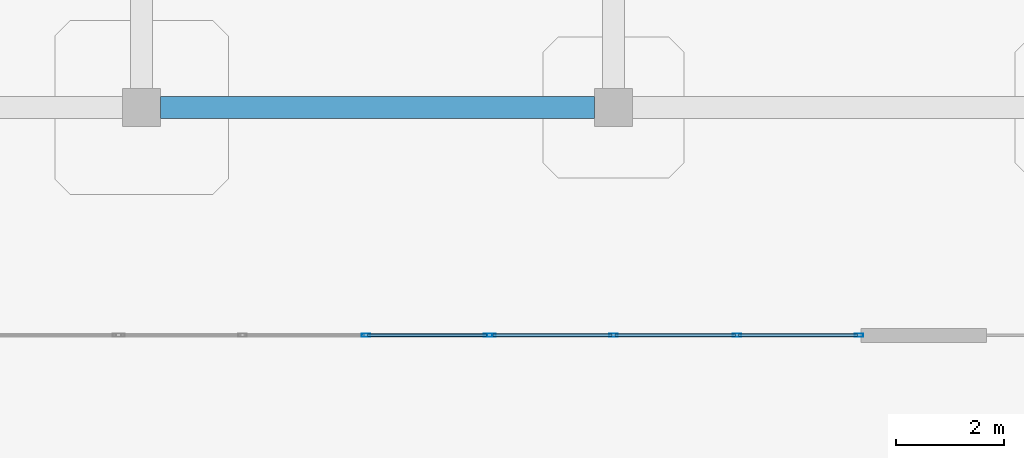
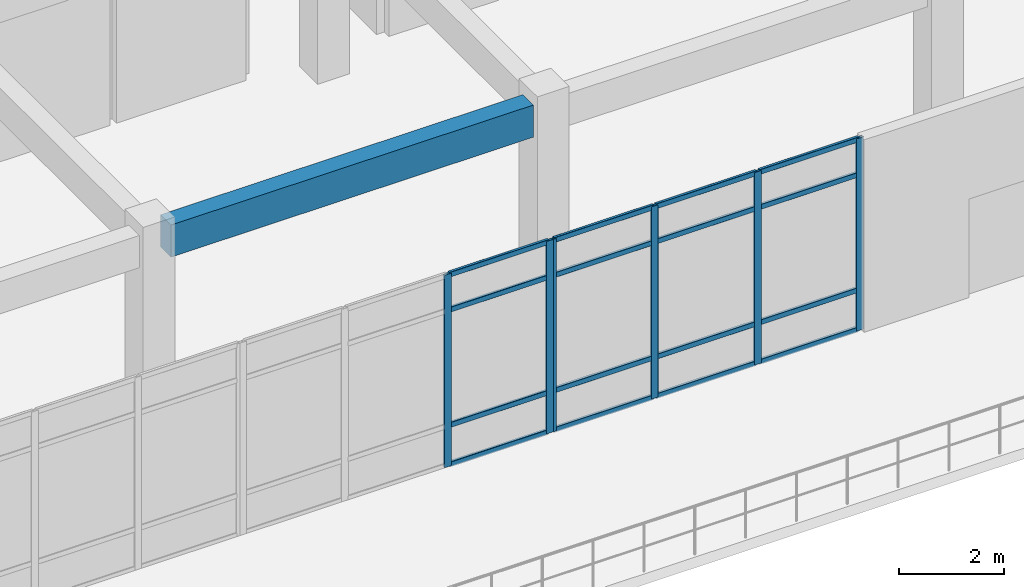
# One storey, part 8 of 76: 22 members, 1 beam, 2 elements without a shape of their own.
"""IFC4 building model written with IfcOpenShell, lengths in metres."""

from ifc_helpers import new_model, si_unit, derived_unit, direction, frame, origin, origin_2d, place, context, subcontext, project, spatial, rectangle, hollow_rectangle, extrude, material, layer, layer_set, material_profile, profile_set, type_object, element, aggregate, save


model = new_model("IFC4")

# Units and contexts
model_context = context("Model", 3, precision=1e-05, world=origin(), true_north=direction((0.0, 1.0)))
body_context = subcontext(model_context, "Body", "Model", "MODEL_VIEW")
ifc_project = project(units=[si_unit("LENGTHUNIT", "METRE"), si_unit("AREAUNIT", "SQUARE_METRE"), si_unit("VOLUMEUNIT", "CUBIC_METRE"), si_unit("PLANEANGLEUNIT", "RADIAN"), si_unit("MASSUNIT", "GRAM", prefix="KILO"), derived_unit("THERMALTRANSMITTANCEUNIT", [(si_unit("MASSUNIT", "GRAM", prefix="KILO"), 1), (si_unit("TIMEUNIT", "SECOND"), -3), (si_unit("THERMODYNAMICTEMPERATUREUNIT", "KELVIN"), -1)])], contexts=[model_context])

# Site, building, storey
site_placement = place(None, origin())
site = spatial("IfcSite", under=ifc_project, at=site_placement, CompositionType="ELEMENT")
building_placement = place(site_placement, origin())
building = spatial("IfcBuilding", under=site, at=building_placement, Name="Qinzheling Arcade Emporium", CompositionType="ELEMENT")
storey_placement = place(building_placement, frame((0.0, 0.0, 26.699951171875)))
storey = spatial("IfcBuildingStorey", under=building, at=storey_placement, Name="L06", CompositionType="ELEMENT", Elevation=26.699951171875)

# Curtain wall, members
ifc_material_1 = material(Name="Anodised aluminium and solar-control double glazing", Category="aluminium")
ifc_layer = layer(ifc_material_1, 0.159912109375, Name="Anodised aluminium and solar-control double glazing", Category="aluminium")
ifc_layer_set = layer_set([ifc_layer], Name="Anodised aluminium and solar-control double glazing")
curtain_wall_type = type_object("IfcCurtainWallType", Name="Arcade Portal Glazed Curtain Wall", PredefinedType="NOTDEFINED", material=ifc_layer_set)
curtain_wall_1_placement = place(storey_placement, origin())
curtain_wall_1 = element("IfcCurtainWall", 1, at=curtain_wall_1_placement, inside=storey, type_object=curtain_wall_type, Name="Curtain Wall CW-L06-346", PredefinedType="NOTDEFINED")
ifc_material_2 = material(Name="Anodised aluminium 6063-T6", Category="aluminium")
ifc_material_profile_1 = material_profile(ifc_material_2, hollow_rectangle(XDim=0.06005859375, YDim=0.159912109375, WallThickness=0.00390625, InnerFilletRadius=0.00390625, OuterFilletRadius=0.008056640625, at=origin_2d()), Name="RHS 160x60x4", Category="aluminium")
ifc_profile_set_1 = profile_set([ifc_material_profile_1], Name="Anodised aluminium 6063-T6")
member_type_1 = type_object("IfcMemberType", Name="Curtain Wall Mullion RHS160x60", PredefinedType="MULLION", material=ifc_profile_set_1)
member_1_placement = place(storey_placement, frame((56.72802734375, 12.60009765625, 0.0), z_axis=(0.0, 0.0, 1.0), x_axis=(0.0, -1.0, 0.0)))
member_1 = element("IfcMember", 2, at=member_1_placement, type_object=member_type_1, Name="CW05 mullion 1", PredefinedType="MULLION", context=body_context, shape_type="SweptSolid", body=[
    extrude(hollow_rectangle(XDim=0.06005859375, YDim=0.159912109375, WallThickness=0.00390625, InnerFilletRadius=0.00390625, OuterFilletRadius=0.008056640625, at=origin_2d()), origin(), (0.0, 0.0, 1.0), 4.489990234375),
])
member_2_placement = place(storey_placement, frame((54.479248046875, 12.60009765625, 0.0), z_axis=(0.0, 0.0, 1.0), x_axis=(0.0, -1.0, 0.0)))
member_2 = element("IfcMember", 3, at=member_2_placement, type_object=member_type_1, Name="CW05 mullion 2", PredefinedType="MULLION", context=body_context, shape_type="SweptSolid", body=[
    extrude(hollow_rectangle(XDim=0.06005859375, YDim=0.159912109375, WallThickness=0.00390625, InnerFilletRadius=0.00390625, OuterFilletRadius=0.008056640625, at=origin_2d()), origin(), (0.0, 0.0, 1.0), 4.489990234375),
])
member_3_placement = place(storey_placement, frame((52.20068359375, 12.60009765625, 0.0), z_axis=(0.0, 0.0, 1.0), x_axis=(0.0, -1.0, 0.0)))
member_3 = element("IfcMember", 4, at=member_3_placement, type_object=member_type_1, Name="CW05 mullion 3", PredefinedType="MULLION", context=body_context, shape_type="SweptSolid", body=[
    extrude(hollow_rectangle(XDim=0.06005859375, YDim=0.159912109375, WallThickness=0.00390625, InnerFilletRadius=0.00390625, OuterFilletRadius=0.008056640625, at=origin_2d()), origin(), (0.0, 0.0, 1.0), 4.489990234375),
])
member_4_placement = place(storey_placement, frame((49.951904296875, 12.60009765625, 0.0), z_axis=(0.0, 0.0, 1.0), x_axis=(0.0, -1.0, 0.0)))
member_4 = element("IfcMember", 5, at=member_4_placement, type_object=member_type_1, Name="CW05 mullion 4", PredefinedType="MULLION", context=body_context, shape_type="SweptSolid", body=[
    extrude(hollow_rectangle(XDim=0.06005859375, YDim=0.159912109375, WallThickness=0.00390625, InnerFilletRadius=0.00390625, OuterFilletRadius=0.008056640625, at=origin_2d()), origin(), (0.0, 0.0, 1.0), 4.489990234375),
])

curtain_wall_2_placement = place(storey_placement, origin())
curtain_wall_2 = element("IfcCurtainWall", 6, at=curtain_wall_2_placement, inside=storey, type_object=curtain_wall_type, Name="Curtain Wall CW-L06-347", PredefinedType="NOTDEFINED")
member_5_placement = place(storey_placement, frame((49.887939453125, 12.60009765625, 0.0), z_axis=(0.0, 0.0, 1.0), x_axis=(0.0, -1.0, 0.0)))
member_5 = element("IfcMember", 7, at=member_5_placement, type_object=member_type_1, Name="CW05 mullion 1", PredefinedType="MULLION", context=body_context, shape_type="SweptSolid", body=[
    extrude(hollow_rectangle(XDim=0.06005859375, YDim=0.159912109375, WallThickness=0.00390625, InnerFilletRadius=0.00390625, OuterFilletRadius=0.008056640625, at=origin_2d()), origin(), (0.0, 0.0, 1.0), 4.489990234375),
])
member_6_placement = place(storey_placement, frame((47.639404296875, 12.60009765625, 0.0), z_axis=(0.0, 0.0, 1.0), x_axis=(0.0, -1.0, 0.0)))
member_6 = element("IfcMember", 8, at=member_6_placement, type_object=member_type_1, Name="CW05 mullion 2", PredefinedType="MULLION", context=body_context, shape_type="SweptSolid", body=[
    extrude(hollow_rectangle(XDim=0.06005859375, YDim=0.159912109375, WallThickness=0.00390625, InnerFilletRadius=0.00390625, OuterFilletRadius=0.008056640625, at=origin_2d()), origin(), (0.0, 0.0, 1.0), 4.489990234375),
])

# Member
ifc_material_profile_2 = material_profile(ifc_material_2, hollow_rectangle(XDim=0.06005859375, YDim=0.1201171875, WallThickness=0.00390625, InnerFilletRadius=0.00390625, OuterFilletRadius=0.008056640625, at=origin_2d()), Name="RHS 120x60x4", Category="aluminium")
ifc_profile_set_2 = profile_set([ifc_material_profile_2], Name="Anodised aluminium 6063-T6")
member_type_2 = type_object("IfcMemberType", Name="Curtain Wall Transom RHS120x60", PredefinedType="USERDEFINED", material=ifc_profile_set_2)
member_7_placement = place(storey_placement, frame((56.697998046875, 12.60009765625, 0.030029296875), z_axis=(-1.0, 0.0, 0.0), x_axis=(0.0, -1.0, 0.0)))
member_7 = element("IfcMember", 9, at=member_7_placement, type_object=member_type_2, Name="CW05 transom 1.1", ObjectType="TRANSOM", PredefinedType="USERDEFINED", context=body_context, shape_type="SweptSolid", body=[
    extrude(hollow_rectangle(XDim=0.06005859375, YDim=0.1201171875, WallThickness=0.00390625, InnerFilletRadius=0.00390625, OuterFilletRadius=0.008056640625, at=origin_2d()), origin(), (0.0, 0.0, 1.0), 2.188720703125),
])

member_8_placement = place(storey_placement, frame((56.697998046875, 12.60009765625, 0.949951171875), z_axis=(-1.0, 0.0, 0.0), x_axis=(0.0, -1.0, 0.0)))
member_8 = element("IfcMember", 10, at=member_8_placement, type_object=member_type_2, Name="CW05 transom 1.2", ObjectType="TRANSOM", PredefinedType="USERDEFINED", context=body_context, shape_type="SweptSolid", body=[
    extrude(hollow_rectangle(XDim=0.06005859375, YDim=0.1201171875, WallThickness=0.00390625, InnerFilletRadius=0.00390625, OuterFilletRadius=0.008056640625, at=origin_2d()), origin(), (0.0, 0.0, 1.0), 2.188720703125),
])

member_9_placement = place(storey_placement, frame((56.697998046875, 12.60009765625, 3.64013671875), z_axis=(-1.0, 0.0, 0.0), x_axis=(0.0, -1.0, 0.0)))
member_9 = element("IfcMember", 11, at=member_9_placement, type_object=member_type_2, Name="CW05 transom 1.3", ObjectType="TRANSOM", PredefinedType="USERDEFINED", context=body_context, shape_type="SweptSolid", body=[
    extrude(hollow_rectangle(XDim=0.06005859375, YDim=0.1201171875, WallThickness=0.00390625, InnerFilletRadius=0.00390625, OuterFilletRadius=0.008056640625, at=origin_2d()), origin(), (0.0, 0.0, 1.0), 2.188720703125),
])

member_10_placement = place(storey_placement, frame((56.697998046875, 12.60009765625, 4.4599609375), z_axis=(-1.0, 0.0, 0.0), x_axis=(0.0, -1.0, 0.0)))
member_10 = element("IfcMember", 12, at=member_10_placement, type_object=member_type_2, Name="CW05 transom 1.4", ObjectType="TRANSOM", PredefinedType="USERDEFINED", context=body_context, shape_type="SweptSolid", body=[
    extrude(hollow_rectangle(XDim=0.06005859375, YDim=0.1201171875, WallThickness=0.00390625, InnerFilletRadius=0.00390625, OuterFilletRadius=0.008056640625, at=origin_2d()), origin(), (0.0, 0.0, 1.0), 2.188720703125),
])

member_11_placement = place(storey_placement, frame((54.44921875, 12.60009765625, 0.030029296875), z_axis=(-1.0, 0.0, 0.0), x_axis=(0.0, -1.0, 0.0)))
member_11 = element("IfcMember", 13, at=member_11_placement, type_object=member_type_2, Name="CW05 transom 2.1", ObjectType="TRANSOM", PredefinedType="USERDEFINED", context=body_context, shape_type="SweptSolid", body=[
    extrude(hollow_rectangle(XDim=0.06005859375, YDim=0.1201171875, WallThickness=0.00390625, InnerFilletRadius=0.00390625, OuterFilletRadius=0.008056640625, at=origin_2d()), origin(), (0.0, 0.0, 1.0), 2.218505859375),
])

member_12_placement = place(storey_placement, frame((54.44921875, 12.60009765625, 0.949951171875), z_axis=(-1.0, 0.0, 0.0), x_axis=(0.0, -1.0, 0.0)))
member_12 = element("IfcMember", 14, at=member_12_placement, type_object=member_type_2, Name="CW05 transom 2.2", ObjectType="TRANSOM", PredefinedType="USERDEFINED", context=body_context, shape_type="SweptSolid", body=[
    extrude(hollow_rectangle(XDim=0.06005859375, YDim=0.1201171875, WallThickness=0.00390625, InnerFilletRadius=0.00390625, OuterFilletRadius=0.008056640625, at=origin_2d()), origin(), (0.0, 0.0, 1.0), 2.218505859375),
])

member_13_placement = place(storey_placement, frame((54.44921875, 12.60009765625, 3.64013671875), z_axis=(-1.0, 0.0, 0.0), x_axis=(0.0, -1.0, 0.0)))
member_13 = element("IfcMember", 15, at=member_13_placement, type_object=member_type_2, Name="CW05 transom 2.3", ObjectType="TRANSOM", PredefinedType="USERDEFINED", context=body_context, shape_type="SweptSolid", body=[
    extrude(hollow_rectangle(XDim=0.06005859375, YDim=0.1201171875, WallThickness=0.00390625, InnerFilletRadius=0.00390625, OuterFilletRadius=0.008056640625, at=origin_2d()), origin(), (0.0, 0.0, 1.0), 2.218505859375),
])

member_14_placement = place(storey_placement, frame((54.44921875, 12.60009765625, 4.4599609375), z_axis=(-1.0, 0.0, 0.0), x_axis=(0.0, -1.0, 0.0)))
member_14 = element("IfcMember", 16, at=member_14_placement, type_object=member_type_2, Name="CW05 transom 2.4", ObjectType="TRANSOM", PredefinedType="USERDEFINED", context=body_context, shape_type="SweptSolid", body=[
    extrude(hollow_rectangle(XDim=0.06005859375, YDim=0.1201171875, WallThickness=0.00390625, InnerFilletRadius=0.00390625, OuterFilletRadius=0.008056640625, at=origin_2d()), origin(), (0.0, 0.0, 1.0), 2.218505859375),
])

member_15_placement = place(storey_placement, frame((52.170654296875, 12.60009765625, 0.030029296875), z_axis=(-1.0, 0.0, 0.0), x_axis=(0.0, -1.0, 0.0)))
member_15 = element("IfcMember", 17, at=member_15_placement, type_object=member_type_2, Name="CW05 transom 3.1", ObjectType="TRANSOM", PredefinedType="USERDEFINED", context=body_context, shape_type="SweptSolid", body=[
    extrude(hollow_rectangle(XDim=0.06005859375, YDim=0.1201171875, WallThickness=0.00390625, InnerFilletRadius=0.00390625, OuterFilletRadius=0.008056640625, at=origin_2d()), origin(), (0.0, 0.0, 1.0), 2.188720703125),
])

member_16_placement = place(storey_placement, frame((52.170654296875, 12.60009765625, 0.949951171875), z_axis=(-1.0, 0.0, 0.0), x_axis=(0.0, -1.0, 0.0)))
member_16 = element("IfcMember", 18, at=member_16_placement, type_object=member_type_2, Name="CW05 transom 3.2", ObjectType="TRANSOM", PredefinedType="USERDEFINED", context=body_context, shape_type="SweptSolid", body=[
    extrude(hollow_rectangle(XDim=0.06005859375, YDim=0.1201171875, WallThickness=0.00390625, InnerFilletRadius=0.00390625, OuterFilletRadius=0.008056640625, at=origin_2d()), origin(), (0.0, 0.0, 1.0), 2.188720703125),
])

member_17_placement = place(storey_placement, frame((52.170654296875, 12.60009765625, 3.64013671875), z_axis=(-1.0, 0.0, 0.0), x_axis=(0.0, -1.0, 0.0)))
member_17 = element("IfcMember", 19, at=member_17_placement, type_object=member_type_2, Name="CW05 transom 3.3", ObjectType="TRANSOM", PredefinedType="USERDEFINED", context=body_context, shape_type="SweptSolid", body=[
    extrude(hollow_rectangle(XDim=0.06005859375, YDim=0.1201171875, WallThickness=0.00390625, InnerFilletRadius=0.00390625, OuterFilletRadius=0.008056640625, at=origin_2d()), origin(), (0.0, 0.0, 1.0), 2.188720703125),
])

member_18_placement = place(storey_placement, frame((52.170654296875, 12.60009765625, 4.4599609375), z_axis=(-1.0, 0.0, 0.0), x_axis=(0.0, -1.0, 0.0)))
member_18 = element("IfcMember", 20, at=member_18_placement, type_object=member_type_2, Name="CW05 transom 3.4", ObjectType="TRANSOM", PredefinedType="USERDEFINED", context=body_context, shape_type="SweptSolid", body=[
    extrude(hollow_rectangle(XDim=0.06005859375, YDim=0.1201171875, WallThickness=0.00390625, InnerFilletRadius=0.00390625, OuterFilletRadius=0.008056640625, at=origin_2d()), origin(), (0.0, 0.0, 1.0), 2.188720703125),
])

aggregate(curtain_wall_1, [member_1, member_2, member_3, member_4, member_7, member_8, member_9, member_10, member_11, member_12, member_13, member_14, member_15, member_16, member_17, member_18])

member_19_placement = place(storey_placement, frame((49.85791015625, 12.60009765625, 0.030029296875), z_axis=(-1.0, 0.0, 0.0), x_axis=(0.0, -1.0, 0.0)))
member_19 = element("IfcMember", 21, at=member_19_placement, type_object=member_type_2, Name="CW05 transom 1.1", ObjectType="TRANSOM", PredefinedType="USERDEFINED", context=body_context, shape_type="SweptSolid", body=[
    extrude(hollow_rectangle(XDim=0.06005859375, YDim=0.1201171875, WallThickness=0.00390625, InnerFilletRadius=0.00390625, OuterFilletRadius=0.008056640625, at=origin_2d()), origin(), (0.0, 0.0, 1.0), 2.1884765625),
])

member_20_placement = place(storey_placement, frame((49.85791015625, 12.60009765625, 0.949951171875), z_axis=(-1.0, 0.0, 0.0), x_axis=(0.0, -1.0, 0.0)))
member_20 = element("IfcMember", 22, at=member_20_placement, type_object=member_type_2, Name="CW05 transom 1.2", ObjectType="TRANSOM", PredefinedType="USERDEFINED", context=body_context, shape_type="SweptSolid", body=[
    extrude(hollow_rectangle(XDim=0.06005859375, YDim=0.1201171875, WallThickness=0.00390625, InnerFilletRadius=0.00390625, OuterFilletRadius=0.008056640625, at=origin_2d()), origin(), (0.0, 0.0, 1.0), 2.1884765625),
])

member_21_placement = place(storey_placement, frame((49.85791015625, 12.60009765625, 3.64013671875), z_axis=(-1.0, 0.0, 0.0), x_axis=(0.0, -1.0, 0.0)))
member_21 = element("IfcMember", 23, at=member_21_placement, type_object=member_type_2, Name="CW05 transom 1.3", ObjectType="TRANSOM", PredefinedType="USERDEFINED", context=body_context, shape_type="SweptSolid", body=[
    extrude(hollow_rectangle(XDim=0.06005859375, YDim=0.1201171875, WallThickness=0.00390625, InnerFilletRadius=0.00390625, OuterFilletRadius=0.008056640625, at=origin_2d()), origin(), (0.0, 0.0, 1.0), 2.1884765625),
])

member_22_placement = place(storey_placement, frame((49.85791015625, 12.60009765625, 4.4599609375), z_axis=(-1.0, 0.0, 0.0), x_axis=(0.0, -1.0, 0.0)))
member_22 = element("IfcMember", 24, at=member_22_placement, type_object=member_type_2, Name="CW05 transom 1.4", ObjectType="TRANSOM", PredefinedType="USERDEFINED", context=body_context, shape_type="SweptSolid", body=[
    extrude(hollow_rectangle(XDim=0.06005859375, YDim=0.1201171875, WallThickness=0.00390625, InnerFilletRadius=0.00390625, OuterFilletRadius=0.008056640625, at=origin_2d()), origin(), (0.0, 0.0, 1.0), 2.1884765625),
])

aggregate(curtain_wall_2, [member_5, member_6, member_19, member_20, member_21, member_22])

# Beam
ifc_material_3 = material(Name="Concrete C40", Category="concrete")
ifc_material_profile_3 = material_profile(ifc_material_3, rectangle(XDim=0.39990234375, YDim=0.75, at=origin_2d()), Name="RC 400x750", Category="concrete")
ifc_profile_set_3 = profile_set([ifc_material_profile_3], Name="Concrete C40")
beam_type = type_object("IfcBeamType", Name="RC Interior Tie Beam 400x750 C40", PredefinedType="BEAM", material=ifc_profile_set_3)
beam_placement = place(storey_placement, frame((43.85009765625, 16.800048828125, 4.14501953125), z_axis=(1.0, 0.0, 0.0), x_axis=(0.0, 1.0, 0.0)))
element("IfcBeam", 25, at=beam_placement, inside=storey, type_object=beam_type, Name="Beam BM-L06-X-C-6", PredefinedType="BEAM", context=body_context, shape_type="SweptSolid", body=[
    extrude(rectangle(XDim=0.39990234375, YDim=0.75, at=origin_2d()), origin(), (0.0, 0.0, 1.0), 8.0),
])

save(model, "model.ifc")
